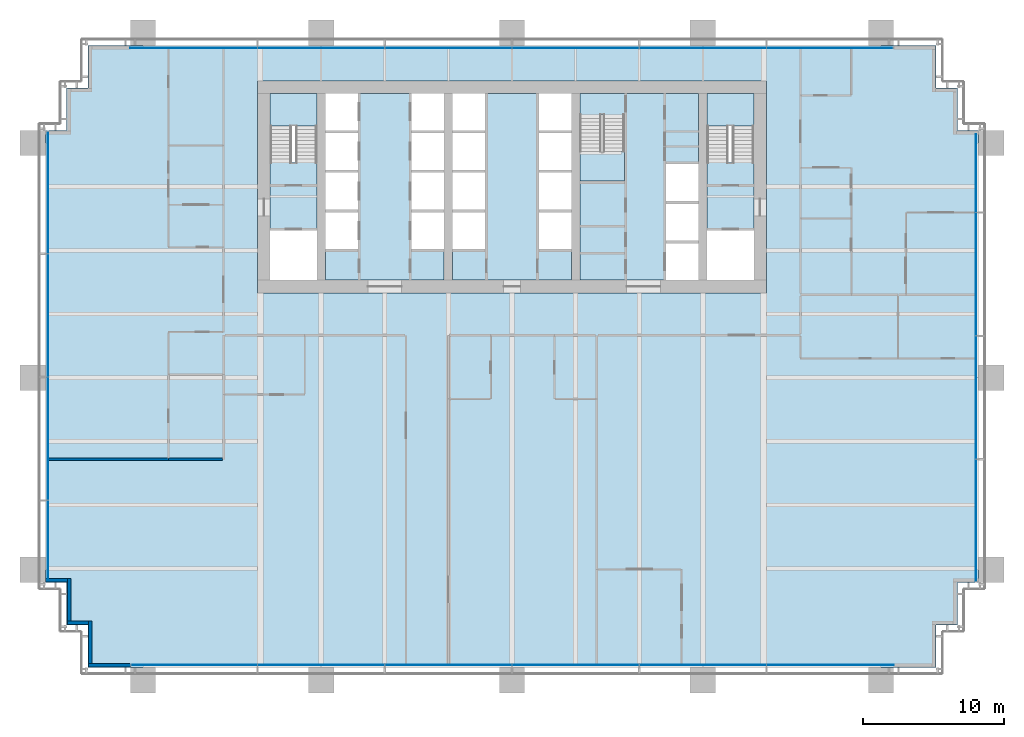
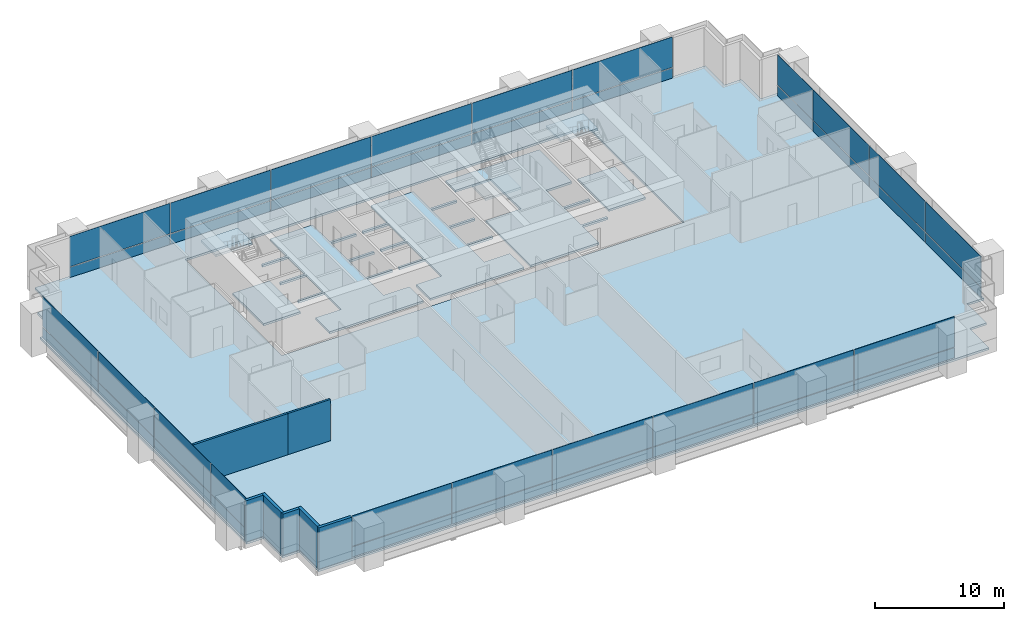
# One storey, part 10 of 19: 40 plates, 9 slabs, 7 walls, 7 elements without a shape of their own.
"""IFC4 building model written with IfcOpenShell, lengths in metres."""

from ifc_helpers import new_model, si_unit, direction, frame, frame_2d, origin, origin_2d, place, context, subcontext, project, spatial, polyline, rectangle, outline, extrude, material, layer, layer_set, type_object, element, aggregate, save


model = new_model("IFC4")

# Units and contexts
model_context = context("Model", 3, precision=1e-05, world=origin(), true_north=direction((0.0, 1.0)))
body_context = subcontext(model_context, "Body", "Model", "MODEL_VIEW")
ifc_project = project(units=[si_unit("LENGTHUNIT", "METRE"), si_unit("AREAUNIT", "SQUARE_METRE"), si_unit("VOLUMEUNIT", "CUBIC_METRE"), si_unit("PLANEANGLEUNIT", "RADIAN"), si_unit("MASSUNIT", "GRAM", prefix="KILO")], contexts=[model_context])

# Site, building, storey
site_placement = place(None, origin())
site = spatial("IfcSite", under=ifc_project, at=site_placement, CompositionType="ELEMENT")
building_placement = place(site_placement, origin())
building = spatial("IfcBuilding", under=site, at=building_placement, Name="Rattan Terrace Tower", CompositionType="ELEMENT")
storey_placement = place(building_placement, frame((0.0, 0.0, 52.89990234375)))
storey = spatial("IfcBuildingStorey", under=building, at=storey_placement, Name="L11", CompositionType="ELEMENT", Elevation=52.89990234375)

# Stair, slab
ifc_material_1 = material(Name="Concrete C40/50", Category="concrete")
stair_type = type_object("IfcStairType", Name="Core exit stair 1500", PredefinedType="HALF_TURN_STAIR", material=ifc_material_1)
stair_1_placement = place(storey_placement, origin())
stair_1 = element("IfcStair", 1, at=stair_1_placement, inside=storey, type_object=stair_type, Name="L11 exit stair 1", PredefinedType="HALF_TURN_STAIR")
ifc_material_2 = material(Name="Concrete C40/50", Category="concrete")
ifc_layer_1 = layer(ifc_material_2, 0.199951171875)
ifc_layer_set_1 = layer_set([ifc_layer_1], Name="Core exit stair landing")
slab_type_1 = type_object("IfcSlabType", Name="Core exit stair landing", PredefinedType="LANDING", material=ifc_layer_set_1)
slab_1_placement = place(storey_placement, frame((0.0, 0.0, 1.85009765625)))
slab_1 = element("IfcSlab", 2, at=slab_1_placement, type_object=slab_type_1, Name="S1 landing 1", PredefinedType="LANDING", context=body_context, shape_type="SweptSolid", body=[
    extrude(outline(polyline([(-13.800048828125, 4.300048828125), (-13.800048828125, 6.60009765625), (-17.10009765625, 6.60009765625), (-17.10009765625, 4.300048828125), (-13.800048828125, 4.300048828125)])), origin(), (0.0, 0.0, 1.0), 0.199951171875),
])
aggregate(stair_1, [slab_1])

stair_2_placement = place(storey_placement, origin())
stair_2 = element("IfcStair", 3, at=stair_2_placement, inside=storey, type_object=stair_type, Name="L11 exit stair 2", PredefinedType="HALF_TURN_STAIR")
slab_2_placement = place(storey_placement, frame((0.0, 0.0, 1.85009765625)))
slab_2 = element("IfcSlab", 4, at=slab_2_placement, type_object=slab_type_1, Name="S2 landing 1", PredefinedType="LANDING", context=body_context, shape_type="SweptSolid", body=[
    extrude(outline(polyline([(17.10009765625, 4.300048828125), (17.10009765625, 6.60009765625), (13.800048828125, 6.60009765625), (13.800048828125, 4.300048828125), (17.10009765625, 4.300048828125)])), origin(), (0.0, 0.0, 1.0), 0.199951171875),
])
aggregate(stair_2, [slab_2])

stair_3_placement = place(storey_placement, origin())
stair_3 = element("IfcStair", 5, at=stair_3_placement, inside=storey, type_object=stair_type, Name="L11 exit stair 3", PredefinedType="HALF_TURN_STAIR")
slab_3_placement = place(storey_placement, frame((0.0, 0.0, 1.85009765625)))
slab_3 = element("IfcSlab", 6, at=slab_3_placement, type_object=slab_type_1, Name="S3 landing 1", PredefinedType="LANDING", context=body_context, shape_type="SweptSolid", body=[
    extrude(outline(polyline([(4.800048828125, 2.5), (4.800048828125, 0.39990234375), (7.949951171875, 0.39990234375), (7.949951171875, 2.5), (4.800048828125, 2.5)])), origin(), (0.0, 0.0, 1.0), 0.199951171875),
])
aggregate(stair_3, [slab_3])

# Curtain wall, plates
ifc_material_3 = material(Name="Aluminium and glass", Category="aluminium")
curtain_wall_type = type_object("IfcCurtainWallType", Name="Facade Unitised Curtain Wall", PredefinedType="NOTDEFINED", material=ifc_material_3)
curtain_wall_1_placement = place(storey_placement, origin())
curtain_wall_1 = element("IfcCurtainWall", 7, at=curtain_wall_1_placement, inside=storey, type_object=curtain_wall_type, Name="Curtain wall L11-1", PredefinedType="NOTDEFINED")
ifc_material_4 = material(Name="Aluminium insulated spandrel panel", Category="aluminium")
ifc_layer_2 = layer(ifc_material_4, 0.028076171875)
ifc_layer_set_2 = layer_set([ifc_layer_2], Name="Facade CW Spandrel Panel")
plate_type_1 = type_object("IfcPlateType", Name="Facade CW Spandrel Panel", PredefinedType="CURTAIN_PANEL", material=ifc_layer_set_2)
plate_1_placement = place(storey_placement, frame((32.830078125, -23.59912109375, 0.0), z_axis=(0.0, 0.0, 1.0), x_axis=(0.0, 1.0, 0.0)))
plate_1 = element("IfcPlate", 8, at=plate_1_placement, type_object=plate_type_1, Name="Panel cwl-L11-001.1.1", PredefinedType="CURTAIN_PANEL", context=body_context, shape_type="SweptSolid", body=[
    extrude(rectangle(XDim=8.592041015625, YDim=0.028076171875, at=origin_2d()), origin(), (0.0, 0.0, 1.0), 0.969970703125),
])
plate_2_placement = place(storey_placement, frame((32.830078125, -14.909423828125, 0.0), z_axis=(0.0, 0.0, 1.0), x_axis=(0.0, 1.0, 0.0)))
plate_2 = element("IfcPlate", 9, at=plate_2_placement, type_object=plate_type_1, Name="Panel cwl-L11-001.2.1", PredefinedType="CURTAIN_PANEL", context=body_context, shape_type="SweptSolid", body=[
    extrude(rectangle(XDim=8.6669921875, YDim=0.028076171875, at=origin_2d()), origin(), (0.0, 0.0, 1.0), 0.969970703125),
])
plate_3_placement = place(storey_placement, frame((32.830078125, -6.1826171875, 0.0), z_axis=(0.0, 0.0, 1.0), x_axis=(0.0, 1.0, 0.0)))
plate_3 = element("IfcPlate", 10, at=plate_3_placement, type_object=plate_type_1, Name="Panel cwl-L11-001.3.1", PredefinedType="CURTAIN_PANEL", context=body_context, shape_type="SweptSolid", body=[
    extrude(rectangle(XDim=8.6669921875, YDim=0.028076171875, at=origin_2d()), origin(), (0.0, 0.0, 1.0), 0.969970703125),
])
plate_4_placement = place(storey_placement, frame((32.830078125, 0.9580078125, 0.0), z_axis=(0.0, 0.0, 1.0), x_axis=(0.0, 1.0, 0.0)))
plate_4 = element("IfcPlate", 11, at=plate_4_placement, type_object=plate_type_1, Name="Panel cwl-L11-001.4.1", PredefinedType="CURTAIN_PANEL", context=body_context, shape_type="SweptSolid", body=[
    extrude(rectangle(XDim=5.493896484375, YDim=0.028076171875, at=origin_2d()), origin(), (0.0, 0.0, 1.0), 0.969970703125),
])

curtain_wall_2_placement = place(storey_placement, origin())
curtain_wall_2 = element("IfcCurtainWall", 12, at=curtain_wall_2_placement, inside=storey, type_object=curtain_wall_type, Name="Curtain wall L11-2", PredefinedType="NOTDEFINED")
plate_5_placement = place(storey_placement, frame((22.485107421875, 9.830078125, 0.0), z_axis=(0.0, 0.0, 1.0), x_axis=(-1.0, 0.0, 0.0)))
plate_5 = element("IfcPlate", 13, at=plate_5_placement, type_object=plate_type_1, Name="Panel cwl-L11-002.1.1", PredefinedType="CURTAIN_PANEL", context=body_context, shape_type="SweptSolid", body=[
    extrude(rectangle(XDim=8.909912109375, YDim=0.028076171875, at=origin_2d()), origin(), (0.0, 0.0, 1.0), 0.969970703125),
])
plate_6_placement = place(storey_placement, frame((13.5, 9.830078125, 0.0), z_axis=(0.0, 0.0, 1.0), x_axis=(-1.0, 0.0, 0.0)))
plate_6 = element("IfcPlate", 14, at=plate_6_placement, type_object=plate_type_1, Name="Panel cwl-L11-002.2.1", PredefinedType="CURTAIN_PANEL", context=body_context, shape_type="SweptSolid", body=[
    extrude(rectangle(XDim=8.93994140625, YDim=0.028076171875, at=origin_2d()), origin(), (0.0, 0.0, 1.0), 0.969970703125),
])
plate_7_placement = place(storey_placement, frame((4.5, 9.830078125, 0.0), z_axis=(0.0, 0.0, 1.0), x_axis=(-1.0, 0.0, 0.0)))
plate_7 = element("IfcPlate", 15, at=plate_7_placement, type_object=plate_type_1, Name="Panel cwl-L11-002.3.1", PredefinedType="CURTAIN_PANEL", context=body_context, shape_type="SweptSolid", body=[
    extrude(rectangle(XDim=8.93994140625, YDim=0.028076171875, at=origin_2d()), origin(), (0.0, 0.0, 1.0), 0.969970703125),
])
plate_8_placement = place(storey_placement, frame((-4.5, 9.830078125, 0.0), z_axis=(0.0, 0.0, 1.0), x_axis=(-1.0, 0.0, 0.0)))
plate_8 = element("IfcPlate", 16, at=plate_8_placement, type_object=plate_type_1, Name="Panel cwl-L11-002.4.1", PredefinedType="CURTAIN_PANEL", context=body_context, shape_type="SweptSolid", body=[
    extrude(rectangle(XDim=8.93994140625, YDim=0.028076171875, at=origin_2d()), origin(), (0.0, 0.0, 1.0), 0.969970703125),
])
plate_9_placement = place(storey_placement, frame((-13.5, 9.830078125, 0.0), z_axis=(0.0, 0.0, 1.0), x_axis=(-1.0, 0.0, 0.0)))
plate_9 = element("IfcPlate", 17, at=plate_9_placement, type_object=plate_type_1, Name="Panel cwl-L11-002.5.1", PredefinedType="CURTAIN_PANEL", context=body_context, shape_type="SweptSolid", body=[
    extrude(rectangle(XDim=8.93994140625, YDim=0.028076171875, at=origin_2d()), origin(), (0.0, 0.0, 1.0), 0.969970703125),
])
plate_10_placement = place(storey_placement, frame((-22.514892578125, 9.830078125, 0.0), z_axis=(0.0, 0.0, 1.0), x_axis=(-1.0, 0.0, 0.0)))
plate_10 = element("IfcPlate", 18, at=plate_10_placement, type_object=plate_type_1, Name="Panel cwl-L11-002.6.1", PredefinedType="CURTAIN_PANEL", context=body_context, shape_type="SweptSolid", body=[
    extrude(rectangle(XDim=8.969970703125, YDim=0.028076171875, at=origin_2d()), origin(), (0.0, 0.0, 1.0), 0.969970703125),
])

curtain_wall_3_placement = place(storey_placement, origin())
curtain_wall_3 = element("IfcCurtainWall", 19, at=curtain_wall_3_placement, inside=storey, type_object=curtain_wall_type, Name="Curtain wall L11-3", PredefinedType="NOTDEFINED")
plate_11_placement = place(storey_placement, frame((-32.830078125, -0.40087890625, 0.0), z_axis=(0.0, 0.0, 1.0), x_axis=(0.0, -1.0, 0.0)))
plate_11 = element("IfcPlate", 20, at=plate_11_placement, type_object=plate_type_1, Name="Panel cwl-L11-003.1.1", PredefinedType="CURTAIN_PANEL", context=body_context, shape_type="SweptSolid", body=[
    extrude(rectangle(XDim=8.592041015625, YDim=0.028076171875, at=origin_2d()), origin(), (0.0, 0.0, 1.0), 0.969970703125),
])
plate_12_placement = place(storey_placement, frame((-32.830078125, -9.090576171875, 0.0), z_axis=(0.0, 0.0, 1.0), x_axis=(0.0, -1.0, 0.0)))
plate_12 = element("IfcPlate", 21, at=plate_12_placement, type_object=plate_type_1, Name="Panel cwl-L11-003.2.1", PredefinedType="CURTAIN_PANEL", context=body_context, shape_type="SweptSolid", body=[
    extrude(rectangle(XDim=8.6669921875, YDim=0.028076171875, at=origin_2d()), origin(), (0.0, 0.0, 1.0), 0.969970703125),
])
plate_13_placement = place(storey_placement, frame((-32.830078125, -17.8173828125, 0.0), z_axis=(0.0, 0.0, 1.0), x_axis=(0.0, -1.0, 0.0)))
plate_13 = element("IfcPlate", 22, at=plate_13_placement, type_object=plate_type_1, Name="Panel cwl-L11-003.3.1", PredefinedType="CURTAIN_PANEL", context=body_context, shape_type="SweptSolid", body=[
    extrude(rectangle(XDim=8.6669921875, YDim=0.028076171875, at=origin_2d()), origin(), (0.0, 0.0, 1.0), 0.969970703125),
])
plate_14_placement = place(storey_placement, frame((-32.830078125, -24.9580078125, 0.0), z_axis=(0.0, 0.0, 1.0), x_axis=(0.0, -1.0, 0.0)))
plate_14 = element("IfcPlate", 23, at=plate_14_placement, type_object=plate_type_1, Name="Panel cwl-L11-003.4.1", PredefinedType="CURTAIN_PANEL", context=body_context, shape_type="SweptSolid", body=[
    extrude(rectangle(XDim=5.493896484375, YDim=0.028076171875, at=origin_2d()), origin(), (0.0, 0.0, 1.0), 0.969970703125),
])

curtain_wall_4_placement = place(storey_placement, origin())
curtain_wall_4 = element("IfcCurtainWall", 24, at=curtain_wall_4_placement, inside=storey, type_object=curtain_wall_type, Name="Curtain wall L11-4", PredefinedType="NOTDEFINED")
plate_15_placement = place(storey_placement, frame((-22.485107421875, -33.830078125, 0.0), z_axis=(0.0, 0.0, 1.0), x_axis=(1.0, 0.0, 0.0)))
plate_15 = element("IfcPlate", 25, at=plate_15_placement, type_object=plate_type_1, Name="Panel cwl-L11-004.1.1", PredefinedType="CURTAIN_PANEL", context=body_context, shape_type="SweptSolid", body=[
    extrude(rectangle(XDim=8.909912109375, YDim=0.028076171875, at=origin_2d()), origin(), (0.0, 0.0, 1.0), 0.969970703125),
])
plate_16_placement = place(storey_placement, frame((-13.5, -33.830078125, 0.0), z_axis=(0.0, 0.0, 1.0), x_axis=(1.0, 0.0, 0.0)))
plate_16 = element("IfcPlate", 26, at=plate_16_placement, type_object=plate_type_1, Name="Panel cwl-L11-004.2.1", PredefinedType="CURTAIN_PANEL", context=body_context, shape_type="SweptSolid", body=[
    extrude(rectangle(XDim=8.93994140625, YDim=0.028076171875, at=origin_2d()), origin(), (0.0, 0.0, 1.0), 0.969970703125),
])
plate_17_placement = place(storey_placement, frame((-4.5, -33.830078125, 0.0), z_axis=(0.0, 0.0, 1.0), x_axis=(1.0, 0.0, 0.0)))
plate_17 = element("IfcPlate", 27, at=plate_17_placement, type_object=plate_type_1, Name="Panel cwl-L11-004.3.1", PredefinedType="CURTAIN_PANEL", context=body_context, shape_type="SweptSolid", body=[
    extrude(rectangle(XDim=8.93994140625, YDim=0.028076171875, at=origin_2d()), origin(), (0.0, 0.0, 1.0), 0.969970703125),
])
plate_18_placement = place(storey_placement, frame((4.5, -33.830078125, 0.0), z_axis=(0.0, 0.0, 1.0), x_axis=(1.0, 0.0, 0.0)))
plate_18 = element("IfcPlate", 28, at=plate_18_placement, type_object=plate_type_1, Name="Panel cwl-L11-004.4.1", PredefinedType="CURTAIN_PANEL", context=body_context, shape_type="SweptSolid", body=[
    extrude(rectangle(XDim=8.93994140625, YDim=0.028076171875, at=origin_2d()), origin(), (0.0, 0.0, 1.0), 0.969970703125),
])
plate_19_placement = place(storey_placement, frame((13.5, -33.830078125, 0.0), z_axis=(0.0, 0.0, 1.0), x_axis=(1.0, 0.0, 0.0)))
plate_19 = element("IfcPlate", 29, at=plate_19_placement, type_object=plate_type_1, Name="Panel cwl-L11-004.5.1", PredefinedType="CURTAIN_PANEL", context=body_context, shape_type="SweptSolid", body=[
    extrude(rectangle(XDim=8.93994140625, YDim=0.028076171875, at=origin_2d()), origin(), (0.0, 0.0, 1.0), 0.969970703125),
])
plate_20_placement = place(storey_placement, frame((22.514892578125, -33.830078125, 0.0), z_axis=(0.0, 0.0, 1.0), x_axis=(1.0, 0.0, 0.0)))
plate_20 = element("IfcPlate", 30, at=plate_20_placement, type_object=plate_type_1, Name="Panel cwl-L11-004.6.1", PredefinedType="CURTAIN_PANEL", context=body_context, shape_type="SweptSolid", body=[
    extrude(rectangle(XDim=8.969970703125, YDim=0.028076171875, at=origin_2d()), origin(), (0.0, 0.0, 1.0), 0.969970703125),
])

# Plate
ifc_material_5 = material(Name="Clear low-iron glass", Category="glass")
ifc_layer_3 = layer(ifc_material_5, 0.028076171875)
ifc_layer_set_3 = layer_set([ifc_layer_3], Name="Facade CW Vision Panel")
plate_type_2 = type_object("IfcPlateType", Name="Facade CW Vision Panel", PredefinedType="CURTAIN_PANEL", material=ifc_layer_set_3)
plate_21_placement = place(storey_placement, frame((32.830078125, -23.59912109375, 1.030029296875), z_axis=(0.0, 0.0, 1.0), x_axis=(0.0, 1.0, 0.0)))
plate_21 = element("IfcPlate", 31, at=plate_21_placement, type_object=plate_type_2, Name="Panel cwl-L11-001.1.2", PredefinedType="CURTAIN_PANEL", context=body_context, shape_type="SweptSolid", body=[
    extrude(rectangle(XDim=8.592041015625, YDim=0.028076171875, at=origin_2d()), origin(), (0.0, 0.0, 1.0), 2.8701171875),
])

plate_22_placement = place(storey_placement, frame((32.830078125, -14.909423828125, 1.030029296875), z_axis=(0.0, 0.0, 1.0), x_axis=(0.0, 1.0, 0.0)))
plate_22 = element("IfcPlate", 32, at=plate_22_placement, type_object=plate_type_2, Name="Panel cwl-L11-001.2.2", PredefinedType="CURTAIN_PANEL", context=body_context, shape_type="SweptSolid", body=[
    extrude(rectangle(XDim=8.6669921875, YDim=0.028076171875, at=origin_2d()), origin(), (0.0, 0.0, 1.0), 2.8701171875),
])

plate_23_placement = place(storey_placement, frame((32.830078125, -6.1826171875, 1.030029296875), z_axis=(0.0, 0.0, 1.0), x_axis=(0.0, 1.0, 0.0)))
plate_23 = element("IfcPlate", 33, at=plate_23_placement, type_object=plate_type_2, Name="Panel cwl-L11-001.3.2", PredefinedType="CURTAIN_PANEL", context=body_context, shape_type="SweptSolid", body=[
    extrude(rectangle(XDim=8.6669921875, YDim=0.028076171875, at=origin_2d()), origin(), (0.0, 0.0, 1.0), 2.8701171875),
])

plate_24_placement = place(storey_placement, frame((32.830078125, 0.9580078125, 1.030029296875), z_axis=(0.0, 0.0, 1.0), x_axis=(0.0, 1.0, 0.0)))
plate_24 = element("IfcPlate", 34, at=plate_24_placement, type_object=plate_type_2, Name="Panel cwl-L11-001.4.2", PredefinedType="CURTAIN_PANEL", context=body_context, shape_type="SweptSolid", body=[
    extrude(rectangle(XDim=5.493896484375, YDim=0.028076171875, at=origin_2d()), origin(), (0.0, 0.0, 1.0), 2.8701171875),
])

aggregate(curtain_wall_1, [plate_1, plate_21, plate_2, plate_22, plate_3, plate_23, plate_4, plate_24])

plate_25_placement = place(storey_placement, frame((22.485107421875, 9.830078125, 1.030029296875), z_axis=(0.0, 0.0, 1.0), x_axis=(-1.0, 0.0, 0.0)))
plate_25 = element("IfcPlate", 35, at=plate_25_placement, type_object=plate_type_2, Name="Panel cwl-L11-002.1.2", PredefinedType="CURTAIN_PANEL", context=body_context, shape_type="SweptSolid", body=[
    extrude(rectangle(XDim=8.909912109375, YDim=0.028076171875, at=origin_2d()), origin(), (0.0, 0.0, 1.0), 2.8701171875),
])

plate_26_placement = place(storey_placement, frame((13.5, 9.830078125, 1.030029296875), z_axis=(0.0, 0.0, 1.0), x_axis=(-1.0, 0.0, 0.0)))
plate_26 = element("IfcPlate", 36, at=plate_26_placement, type_object=plate_type_2, Name="Panel cwl-L11-002.2.2", PredefinedType="CURTAIN_PANEL", context=body_context, shape_type="SweptSolid", body=[
    extrude(rectangle(XDim=8.93994140625, YDim=0.028076171875, at=origin_2d()), origin(), (0.0, 0.0, 1.0), 2.8701171875),
])

plate_27_placement = place(storey_placement, frame((4.5, 9.830078125, 1.030029296875), z_axis=(0.0, 0.0, 1.0), x_axis=(-1.0, 0.0, 0.0)))
plate_27 = element("IfcPlate", 37, at=plate_27_placement, type_object=plate_type_2, Name="Panel cwl-L11-002.3.2", PredefinedType="CURTAIN_PANEL", context=body_context, shape_type="SweptSolid", body=[
    extrude(rectangle(XDim=8.93994140625, YDim=0.028076171875, at=origin_2d()), origin(), (0.0, 0.0, 1.0), 2.8701171875),
])

plate_28_placement = place(storey_placement, frame((-4.5, 9.830078125, 1.030029296875), z_axis=(0.0, 0.0, 1.0), x_axis=(-1.0, 0.0, 0.0)))
plate_28 = element("IfcPlate", 38, at=plate_28_placement, type_object=plate_type_2, Name="Panel cwl-L11-002.4.2", PredefinedType="CURTAIN_PANEL", context=body_context, shape_type="SweptSolid", body=[
    extrude(rectangle(XDim=8.93994140625, YDim=0.028076171875, at=origin_2d()), origin(), (0.0, 0.0, 1.0), 2.8701171875),
])

plate_29_placement = place(storey_placement, frame((-13.5, 9.830078125, 1.030029296875), z_axis=(0.0, 0.0, 1.0), x_axis=(-1.0, 0.0, 0.0)))
plate_29 = element("IfcPlate", 39, at=plate_29_placement, type_object=plate_type_2, Name="Panel cwl-L11-002.5.2", PredefinedType="CURTAIN_PANEL", context=body_context, shape_type="SweptSolid", body=[
    extrude(rectangle(XDim=8.93994140625, YDim=0.028076171875, at=origin_2d()), origin(), (0.0, 0.0, 1.0), 2.8701171875),
])

plate_30_placement = place(storey_placement, frame((-22.514892578125, 9.830078125, 1.030029296875), z_axis=(0.0, 0.0, 1.0), x_axis=(-1.0, 0.0, 0.0)))
plate_30 = element("IfcPlate", 40, at=plate_30_placement, type_object=plate_type_2, Name="Panel cwl-L11-002.6.2", PredefinedType="CURTAIN_PANEL", context=body_context, shape_type="SweptSolid", body=[
    extrude(rectangle(XDim=8.969970703125, YDim=0.028076171875, at=origin_2d()), origin(), (0.0, 0.0, 1.0), 2.8701171875),
])

aggregate(curtain_wall_2, [plate_5, plate_25, plate_6, plate_26, plate_7, plate_27, plate_8, plate_28, plate_9, plate_29, plate_10, plate_30])

plate_31_placement = place(storey_placement, frame((-32.830078125, -0.40087890625, 1.030029296875), z_axis=(0.0, 0.0, 1.0), x_axis=(0.0, -1.0, 0.0)))
plate_31 = element("IfcPlate", 41, at=plate_31_placement, type_object=plate_type_2, Name="Panel cwl-L11-003.1.2", PredefinedType="CURTAIN_PANEL", context=body_context, shape_type="SweptSolid", body=[
    extrude(rectangle(XDim=8.592041015625, YDim=0.028076171875, at=origin_2d()), origin(), (0.0, 0.0, 1.0), 2.8701171875),
])

plate_32_placement = place(storey_placement, frame((-32.830078125, -9.090576171875, 1.030029296875), z_axis=(0.0, 0.0, 1.0), x_axis=(0.0, -1.0, 0.0)))
plate_32 = element("IfcPlate", 42, at=plate_32_placement, type_object=plate_type_2, Name="Panel cwl-L11-003.2.2", PredefinedType="CURTAIN_PANEL", context=body_context, shape_type="SweptSolid", body=[
    extrude(rectangle(XDim=8.6669921875, YDim=0.028076171875, at=origin_2d()), origin(), (0.0, 0.0, 1.0), 2.8701171875),
])

plate_33_placement = place(storey_placement, frame((-32.830078125, -17.8173828125, 1.030029296875), z_axis=(0.0, 0.0, 1.0), x_axis=(0.0, -1.0, 0.0)))
plate_33 = element("IfcPlate", 43, at=plate_33_placement, type_object=plate_type_2, Name="Panel cwl-L11-003.3.2", PredefinedType="CURTAIN_PANEL", context=body_context, shape_type="SweptSolid", body=[
    extrude(rectangle(XDim=8.6669921875, YDim=0.028076171875, at=origin_2d()), origin(), (0.0, 0.0, 1.0), 2.8701171875),
])

plate_34_placement = place(storey_placement, frame((-32.830078125, -24.9580078125, 1.030029296875), z_axis=(0.0, 0.0, 1.0), x_axis=(0.0, -1.0, 0.0)))
plate_34 = element("IfcPlate", 44, at=plate_34_placement, type_object=plate_type_2, Name="Panel cwl-L11-003.4.2", PredefinedType="CURTAIN_PANEL", context=body_context, shape_type="SweptSolid", body=[
    extrude(rectangle(XDim=5.493896484375, YDim=0.028076171875, at=origin_2d()), origin(), (0.0, 0.0, 1.0), 2.8701171875),
])

aggregate(curtain_wall_3, [plate_11, plate_31, plate_12, plate_32, plate_13, plate_33, plate_14, plate_34])

plate_35_placement = place(storey_placement, frame((-22.485107421875, -33.830078125, 1.030029296875), z_axis=(0.0, 0.0, 1.0), x_axis=(1.0, 0.0, 0.0)))
plate_35 = element("IfcPlate", 45, at=plate_35_placement, type_object=plate_type_2, Name="Panel cwl-L11-004.1.2", PredefinedType="CURTAIN_PANEL", context=body_context, shape_type="SweptSolid", body=[
    extrude(rectangle(XDim=8.909912109375, YDim=0.028076171875, at=origin_2d()), origin(), (0.0, 0.0, 1.0), 2.8701171875),
])

plate_36_placement = place(storey_placement, frame((-13.5, -33.830078125, 1.030029296875), z_axis=(0.0, 0.0, 1.0), x_axis=(1.0, 0.0, 0.0)))
plate_36 = element("IfcPlate", 46, at=plate_36_placement, type_object=plate_type_2, Name="Panel cwl-L11-004.2.2", PredefinedType="CURTAIN_PANEL", context=body_context, shape_type="SweptSolid", body=[
    extrude(rectangle(XDim=8.93994140625, YDim=0.028076171875, at=origin_2d()), origin(), (0.0, 0.0, 1.0), 2.8701171875),
])

plate_37_placement = place(storey_placement, frame((-4.5, -33.830078125, 1.030029296875), z_axis=(0.0, 0.0, 1.0), x_axis=(1.0, 0.0, 0.0)))
plate_37 = element("IfcPlate", 47, at=plate_37_placement, type_object=plate_type_2, Name="Panel cwl-L11-004.3.2", PredefinedType="CURTAIN_PANEL", context=body_context, shape_type="SweptSolid", body=[
    extrude(rectangle(XDim=8.93994140625, YDim=0.028076171875, at=origin_2d()), origin(), (0.0, 0.0, 1.0), 2.8701171875),
])

plate_38_placement = place(storey_placement, frame((4.5, -33.830078125, 1.030029296875), z_axis=(0.0, 0.0, 1.0), x_axis=(1.0, 0.0, 0.0)))
plate_38 = element("IfcPlate", 48, at=plate_38_placement, type_object=plate_type_2, Name="Panel cwl-L11-004.4.2", PredefinedType="CURTAIN_PANEL", context=body_context, shape_type="SweptSolid", body=[
    extrude(rectangle(XDim=8.93994140625, YDim=0.028076171875, at=origin_2d()), origin(), (0.0, 0.0, 1.0), 2.8701171875),
])

plate_39_placement = place(storey_placement, frame((13.5, -33.830078125, 1.030029296875), z_axis=(0.0, 0.0, 1.0), x_axis=(1.0, 0.0, 0.0)))
plate_39 = element("IfcPlate", 49, at=plate_39_placement, type_object=plate_type_2, Name="Panel cwl-L11-004.5.2", PredefinedType="CURTAIN_PANEL", context=body_context, shape_type="SweptSolid", body=[
    extrude(rectangle(XDim=8.93994140625, YDim=0.028076171875, at=origin_2d()), origin(), (0.0, 0.0, 1.0), 2.8701171875),
])

plate_40_placement = place(storey_placement, frame((22.514892578125, -33.830078125, 1.030029296875), z_axis=(0.0, 0.0, 1.0), x_axis=(1.0, 0.0, 0.0)))
plate_40 = element("IfcPlate", 50, at=plate_40_placement, type_object=plate_type_2, Name="Panel cwl-L11-004.6.2", PredefinedType="CURTAIN_PANEL", context=body_context, shape_type="SweptSolid", body=[
    extrude(rectangle(XDim=8.969970703125, YDim=0.028076171875, at=origin_2d()), origin(), (0.0, 0.0, 1.0), 2.8701171875),
])

aggregate(curtain_wall_4, [plate_15, plate_35, plate_16, plate_36, plate_17, plate_37, plate_18, plate_38, plate_19, plate_39, plate_20, plate_40])

# Slabs
ifc_material_6 = material(Name="Concrete C35/45", Category="concrete")
ifc_layer_4 = layer(ifc_material_6, 0.199951171875)
ifc_layer_set_4 = layer_set([ifc_layer_4], Name="Frame composite floor slab 200")
slab_type_2 = type_object("IfcSlabType", Name="Frame composite floor slab 200", PredefinedType="FLOOR", material=ifc_layer_set_4)
slab_4_placement = place(storey_placement, frame((0.0, 0.0, -0.199951171875)))
element("IfcSlab", 51, at=slab_4_placement, inside=storey, type_object=slab_type_2, Name="Floor slab", PredefinedType="FLOOR", context=body_context, shape_type="SweptSolid", body=[
    extrude(outline(polyline([(-27.0, -34.0), (27.0, -34.0), (30.0, -34.0), (30.0, -31.0), (31.5, -31.0), (31.5, -28.0), (33.0, -28.0), (33.0, 4.0), (31.5, 4.0), (31.5, 7.0), (30.0, 7.0), (30.0, 10.0), (27.0, 10.0), (-27.0, 10.0), (-30.0, 10.0), (-30.0, 7.0), (-31.5, 7.0), (-31.5, 4.0), (-33.0, 4.0), (-33.0, -28.0), (-31.5, -28.0), (-31.5, -31.0), (-30.0, -31.0), (-30.0, -34.0), (-27.0, -34.0)]), holes=[polyline([(-18.0, -6.60009765625), (-18.0, -7.5), (18.0, -7.5), (18.0, -6.60009765625), (18.0, 6.60009765625), (18.0, 7.5), (-18.0, 7.5), (-18.0, 6.60009765625), (-18.0, -6.60009765625)])]), origin(), (0.0, 0.0, 1.0), 0.199951171875),
])
slab_5_placement = place(storey_placement, frame((0.0, 0.0, -0.199951171875)))
element("IfcSlab", 52, at=slab_5_placement, inside=storey, type_object=slab_type_2, Name="Floor slab", PredefinedType="FLOOR", context=body_context, shape_type="SweptSolid", body=[
    extrude(outline(polyline([(-10.89990234375, 6.60009765625), (-10.89990234375, 4.0), (-13.199951171875, 4.0), (-13.199951171875, 3.800048828125), (-10.89990234375, 3.800048828125), (-10.89990234375, 1.199951171875), (-13.199951171875, 1.199951171875), (-13.199951171875, 1.0), (-10.89990234375, 1.0), (-10.89990234375, -1.60009765625), (-13.199951171875, -1.60009765625), (-13.199951171875, -1.800048828125), (-10.89990234375, -1.800048828125), (-10.89990234375, -4.39990234375), (-13.199951171875, -4.39990234375), (-13.199951171875, -6.60009765625), (-4.800048828125, -6.60009765625), (-4.800048828125, -4.39990234375), (-7.10009765625, -4.39990234375), (-7.10009765625, -1.800048828125), (-4.800048828125, -1.800048828125), (-4.800048828125, -1.60009765625), (-7.10009765625, -1.60009765625), (-7.10009765625, 1.0), (-4.800048828125, 1.0), (-4.800048828125, 1.199951171875), (-7.10009765625, 1.199951171875), (-7.10009765625, 3.800048828125), (-4.800048828125, 3.800048828125), (-4.800048828125, 4.0), (-7.10009765625, 4.0), (-7.10009765625, 6.60009765625), (-10.89990234375, 6.60009765625)])), origin(), (0.0, 0.0, 1.0), 0.199951171875),
])
slab_6_placement = place(storey_placement, frame((0.0, 0.0, -0.199951171875)))
element("IfcSlab", 53, at=slab_6_placement, inside=storey, type_object=slab_type_2, Name="Floor slab", PredefinedType="FLOOR", context=body_context, shape_type="SweptSolid", body=[
    extrude(outline(polyline([(-17.10009765625, -3.10009765625), (-13.800048828125, -3.10009765625), (-13.800048828125, 1.7099609375), (-17.10009765625, 1.7099609375), (-17.10009765625, -3.10009765625)])), origin(), (0.0, 0.0, 1.0), 0.199951171875),
])
slab_7_placement = place(storey_placement, frame((0.0, 0.0, -0.199951171875)))
element("IfcSlab", 54, at=slab_7_placement, inside=storey, type_object=slab_type_2, Name="Floor slab", PredefinedType="FLOOR", context=body_context, shape_type="SweptSolid", body=[
    extrude(outline(polyline([(-4.199951171875, 4.0), (-4.199951171875, 3.800048828125), (-1.89990234375, 3.800048828125), (-1.89990234375, 1.199951171875), (-4.199951171875, 1.199951171875), (-4.199951171875, 1.0), (-1.89990234375, 1.0), (-1.89990234375, -1.60009765625), (-4.199951171875, -1.60009765625), (-4.199951171875, -1.800048828125), (-1.89990234375, -1.800048828125), (-1.89990234375, -4.39990234375), (-4.199951171875, -4.39990234375), (-4.199951171875, -6.60009765625), (4.199951171875, -6.60009765625), (4.199951171875, -4.39990234375), (1.89990234375, -4.39990234375), (1.89990234375, -1.800048828125), (4.199951171875, -1.800048828125), (4.199951171875, -1.60009765625), (1.89990234375, -1.60009765625), (1.89990234375, 1.0), (4.199951171875, 1.0), (4.199951171875, 1.199951171875), (1.89990234375, 1.199951171875), (1.89990234375, 3.800048828125), (4.199951171875, 3.800048828125), (4.199951171875, 4.0), (1.89990234375, 4.0), (1.89990234375, 6.60009765625), (-1.89990234375, 6.60009765625), (-1.89990234375, 4.0), (-4.199951171875, 4.0)])), origin(), (0.0, 0.0, 1.0), 0.199951171875),
])
slab_8_placement = place(storey_placement, frame((0.0, 0.0, -0.199951171875)))
element("IfcSlab", 55, at=slab_8_placement, inside=storey, type_object=slab_type_2, Name="Floor slab", PredefinedType="FLOOR", context=body_context, shape_type="SweptSolid", body=[
    extrude(outline(polyline([(4.800048828125, 5.090087890625), (7.949951171875, 5.090087890625), (7.949951171875, 0.39990234375), (4.800048828125, 0.39990234375), (4.800048828125, -6.60009765625), (10.89990234375, -6.60009765625), (10.89990234375, -4.0), (13.199951171875, -4.0), (13.199951171875, -3.800048828125), (10.89990234375, -3.800048828125), (10.89990234375, -1.199951171875), (13.199951171875, -1.199951171875), (13.199951171875, -1.0), (10.89990234375, -1.0), (10.89990234375, 1.60009765625), (13.199951171875, 1.60009765625), (13.199951171875, 6.60009765625), (4.800048828125, 6.60009765625), (4.800048828125, 5.090087890625)])), origin(), (0.0, 0.0, 1.0), 0.199951171875),
])
slab_9_placement = place(storey_placement, frame((0.0, 0.0, -0.199951171875)))
element("IfcSlab", 56, at=slab_9_placement, inside=storey, type_object=slab_type_2, Name="Floor slab", PredefinedType="FLOOR", context=body_context, shape_type="SweptSolid", body=[
    extrude(outline(polyline([(13.800048828125, -3.10009765625), (17.10009765625, -3.10009765625), (17.10009765625, 1.7099609375), (13.800048828125, 1.7099609375), (13.800048828125, -3.10009765625)])), origin(), (0.0, 0.0, 1.0), 0.199951171875),
])

# Walls
ifc_material_7 = material(Name="Insulated aluminium-clad stud wall", Category="aluminium")
ifc_layer_5 = layer(ifc_material_7, 0.25)
ifc_layer_set_5 = layer_set([ifc_layer_5], Name="Facade Riser Wall 250")
wall_type_1 = type_object("IfcWallType", Name="Facade Riser Wall 250", PredefinedType="SOLIDWALL", material=ifc_layer_set_5)
wall_1_placement = place(storey_placement, frame((-33.0048828125, -27.830078125, 0.0), z_axis=(0.0, 0.0, 1.0), x_axis=(1.0, 0.0, 0.0)))
element("IfcWall", 57, at=wall_1_placement, inside=storey, type_object=wall_type_1, Name="Riser wall L11-16", PredefinedType="SOLIDWALL", context=body_context, shape_type="SweptSolid", body=[
    extrude(rectangle(XDim=1.5498046875, YDim=0.25, at=frame_2d((0.77490234375, 0.0))), origin(), (0.0, 0.0, 1.0), 3.900146484375),
])
wall_2_placement = place(storey_placement, frame((-31.330078125, -27.705078125, 0.0), z_axis=(0.0, 0.0, 1.0), x_axis=(0.0, -1.0, 0.0)))
element("IfcWall", 58, at=wall_2_placement, inside=storey, type_object=wall_type_1, Name="Riser wall L11-17", PredefinedType="SOLIDWALL", context=body_context, shape_type="SweptSolid", body=[
    extrude(rectangle(XDim=3.0, YDim=0.25, at=frame_2d((1.5, 0.0))), origin(), (0.0, 0.0, 1.0), 3.900146484375),
])
wall_3_placement = place(storey_placement, frame((-31.455078125, -30.830078125, 0.0), z_axis=(0.0, 0.0, 1.0), x_axis=(1.0, 0.0, 0.0)))
element("IfcWall", 59, at=wall_3_placement, inside=storey, type_object=wall_type_1, Name="Riser wall L11-18", PredefinedType="SOLIDWALL", context=body_context, shape_type="SweptSolid", body=[
    extrude(rectangle(XDim=1.5, YDim=0.25, at=frame_2d((0.75, 0.0))), origin(), (0.0, 0.0, 1.0), 3.900146484375),
])
wall_4_placement = place(storey_placement, frame((-29.830078125, -30.705078125, 0.0), z_axis=(0.0, 0.0, 1.0), x_axis=(0.0, -1.0, 0.0)))
element("IfcWall", 60, at=wall_4_placement, inside=storey, type_object=wall_type_1, Name="Riser wall L11-19", PredefinedType="SOLIDWALL", context=body_context, shape_type="SweptSolid", body=[
    extrude(rectangle(XDim=3.0, YDim=0.25, at=frame_2d((1.5, 0.0))), origin(), (0.0, 0.0, 1.0), 3.900146484375),
])
wall_5_placement = place(storey_placement, frame((-29.955078125, -33.830078125, 0.0), z_axis=(0.0, 0.0, 1.0), x_axis=(1.0, 0.0, 0.0)))
element("IfcWall", 61, at=wall_5_placement, inside=storey, type_object=wall_type_1, Name="Riser wall L11-20", PredefinedType="SOLIDWALL", context=body_context, shape_type="SweptSolid", body=[
    extrude(rectangle(XDim=2.955078125, YDim=0.25, at=frame_2d((1.4775390625, 0.0))), origin(), (0.0, 0.0, 1.0), 3.900146484375),
])
ifc_material_8 = material(Name="Double steel stud acoustic partition, gypsum board, mineral wool, fire rated", Category="steel")
ifc_layer_6 = layer(ifc_material_8, 0.179931640625)
ifc_layer_set_6 = layer_set([ifc_layer_6], Name="Floors Acoustic Party Wall 180")
wall_type_2 = type_object("IfcWallType", Name="Floors Acoustic Party Wall 180", PredefinedType="PARTITIONING", material=ifc_layer_set_6)
wall_6_placement = place(storey_placement, frame((-24.300048828125, -19.27294921875, 0.0), z_axis=(0.0, 0.0, 1.0), x_axis=(-1.0, 0.0, 0.0)))
element("IfcWall", 62, at=wall_6_placement, inside=storey, type_object=wall_type_2, Name="pt-L11-026", PredefinedType="PARTITIONING", context=body_context, shape_type="SweptSolid", body=[
    extrude(rectangle(XDim=8.43994140625, YDim=0.179931640625, at=frame_2d((4.219970703125, 0.0))), origin(), (0.0, 0.0, 1.0), 3.900146484375),
])
wall_7_placement = place(storey_placement, frame((-20.489990234375, -19.27392578125, 0.0), z_axis=(0.0, 0.0, 1.0), x_axis=(-1.0, 0.0, 0.0)))
element("IfcWall", 63, at=wall_7_placement, inside=storey, type_object=wall_type_2, Name="pt-L11-028", PredefinedType="PARTITIONING", context=body_context, shape_type="SweptSolid", body=[
    extrude(rectangle(XDim=3.81005859375, YDim=0.179931640625, at=frame_2d((1.905029296875, 0.0))), origin(), (0.0, 0.0, 1.0), 3.900146484375),
])

save(model, "model.ifc")
